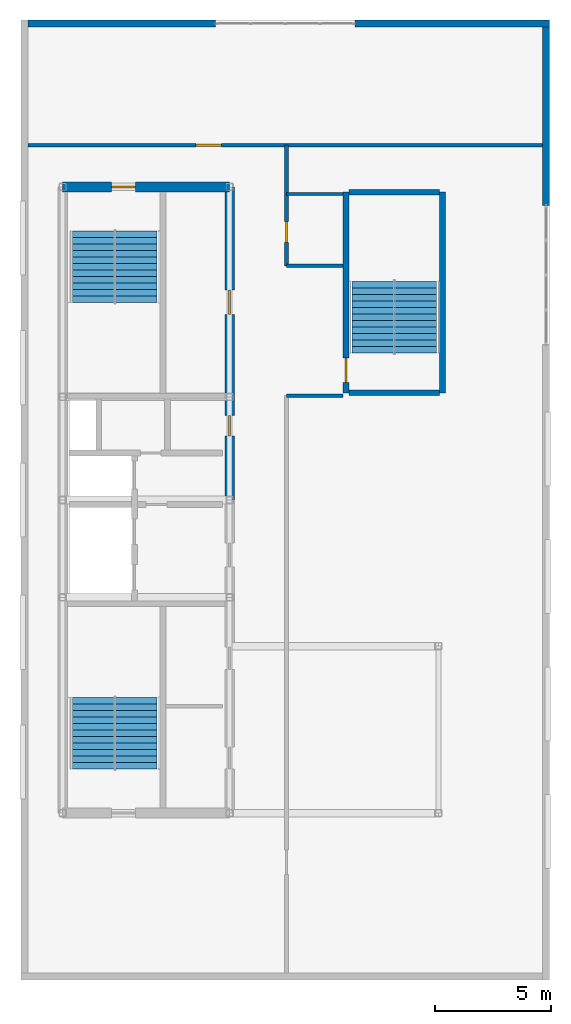
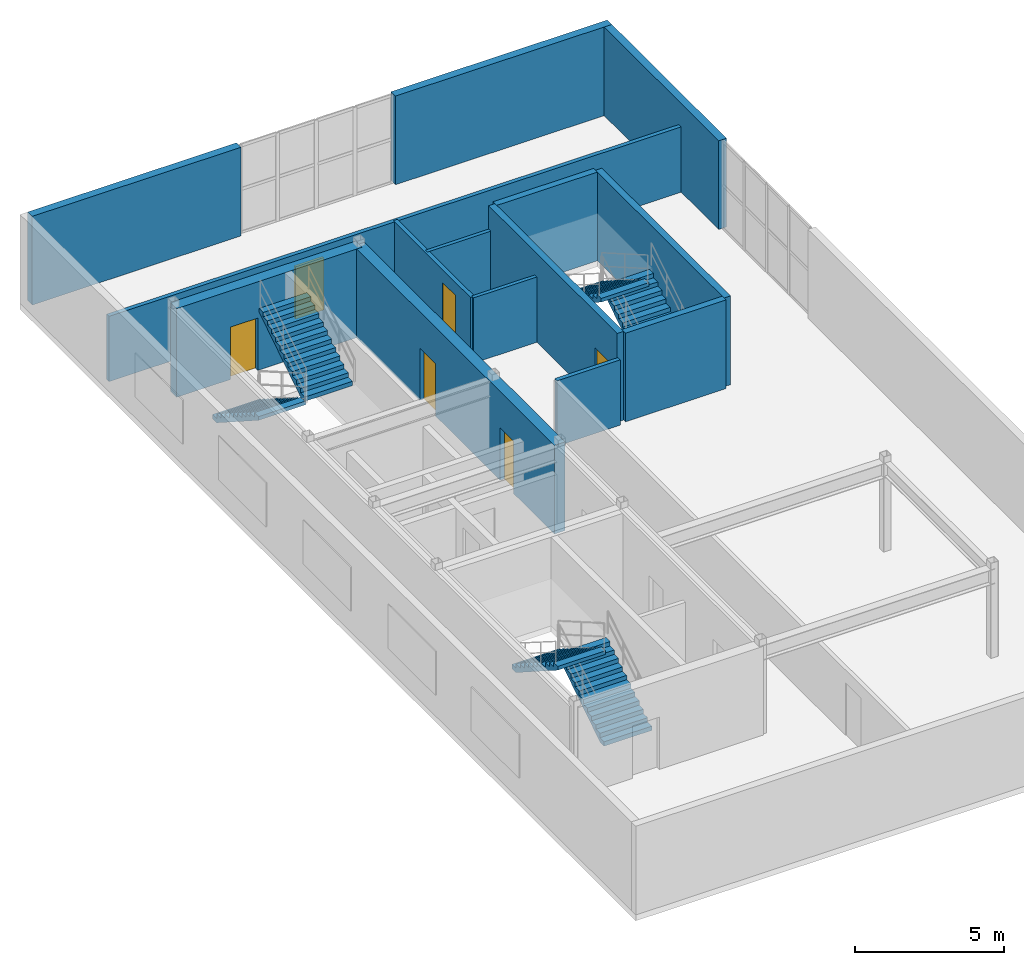
# One storey, part 6 of 7: 14 walls, 6 doors, 6 stair flights, 6 openings, 3 elements without a shape of their own.
"""IFC4 building model written with IfcOpenShell, lengths in metres."""

from ifc_helpers import new_model, entity, si_unit, converted_unit, direction, frame, origin_with_axes, origin_2d_with_axis, place, context, subcontext, project, spatial, polyline, rectangle, outline, extrude, material, layer, layer_set, type_object, element, fill, aggregate, save


model = new_model("IFC4")

# Units and contexts
model_context = context("Model", 3, precision=1e-05, world=origin_with_axes(), true_north=direction((0.0, 1.0)))
body_context = subcontext(model_context, "Body", "Model", "MODEL_VIEW")
ifc_project = project(units=[si_unit("LENGTHUNIT", "METRE"), si_unit("AREAUNIT", "SQUARE_METRE"), si_unit("VOLUMEUNIT", "CUBIC_METRE"), converted_unit("PLANEANGLEUNIT", "DEGREE", entity("IfcPlaneAngleMeasure", 0.017453292519943295), si_unit("PLANEANGLEUNIT", "RADIAN"), dimensions=[0, 0, 0, 0, 0, 0, 0]), si_unit("MASSUNIT", "GRAM", prefix="KILO"), si_unit("THERMODYNAMICTEMPERATUREUNIT", "KELVIN")], contexts=[model_context])

# Site, building, storey
site_placement = place(None, origin_with_axes())
site = spatial("IfcSite", under=ifc_project, at=site_placement, CompositionType="ELEMENT")
building_placement = place(site_placement, origin_with_axes())
building = spatial("IfcBuilding", under=site, at=building_placement, Name="Varnlund Millrace Tower", CompositionType="ELEMENT")
storey_placement = place(building_placement, frame((0.0, 0.0, 316.5), z_axis=(0.0, 0.0, 1.0), x_axis=(1.0, 0.0, 0.0)))
storey = spatial("IfcBuildingStorey", under=building, at=storey_placement, Name="L78", CompositionType="ELEMENT", Elevation=316.5)

# Wall, opening, door
ifc_material_1 = material(Name="Concrete C60/75", Category="concrete")
ifc_layer_1 = layer(ifc_material_1, 0.42, Name="Concrete C60/75")
ifc_layer_set_1 = layer_set([ifc_layer_1], Name="Concrete C60/75")
wall_type_1 = type_object("IfcWallType", Name="Type-CoreWall-Shear-420-C60", PredefinedType="SHEAR", material=ifc_layer_set_1)
wall_1_placement = place(storey_placement, frame((11.4, 37.8, 0.0), z_axis=(0.0, 0.0, 1.0), x_axis=(1.0, 0.0, 0.0)))
wall_1 = element("IfcWall", 1, at=wall_1_placement, inside=storey, type_object=wall_type_1, Name="Type-CoreWall-Shear-420-C60", PredefinedType="SHEAR", context=body_context, shape_type="SweptSolid", body=[
    extrude(outline(polyline([(0.0, -0.21), (7.2, -0.21), (7.2, 0.21), (0.0, 0.21), (0.0, -0.21)])), origin_with_axes(), (0.0, 0.0, 1.0), 3.64),
])
opening_1_placement = place(wall_1_placement, frame((2.625, 0.0, 0.0), z_axis=(0.0, 0.0, 1.0), x_axis=(1.0, 0.0, 0.0)))
opening_1 = element("IfcOpeningElement", 2, at=opening_1_placement, cuts=wall_1, Name="Opening L78:DR-STA2", PredefinedType="OPENING", context=body_context, shape_type="SweptSolid", body=[
    extrude(rectangle(XDim=1.05, YDim=0.44, at=origin_2d_with_axis()), origin_with_axes(), (0.0, 0.0, 1.0), 2.15),
])
ifc_material_2 = material(Name="Fire-rated hollow steel door", Category="steel")
door_type_1 = type_object("IfcDoorType", Name="Type-FireDoor-Stair-1050X2150", OperationType="NOTDEFINED", PredefinedType="DOOR", material=ifc_material_2)
door_1_placement = place(wall_1_placement, frame((2.625, 0.0, 0.0), z_axis=(0.0, 0.0, 1.0), x_axis=(1.0, 0.0, 0.0)))
door_1 = element("IfcDoor", 3, at=door_1_placement, inside=storey, type_object=door_type_1, Name="Type-FireDoor-Stair-1050X2150", OperationType="SINGLE_SWING_RIGHT", OverallHeight=2.15, OverallWidth=1.05, PredefinedType="DOOR", context=body_context, shape_type="SweptSolid", body=[
    extrude(rectangle(XDim=1.05, YDim=0.09, at=origin_2d_with_axis()), origin_with_axes(), (0.0, 0.0, 1.0), 2.15),
])
fill(opening_1, door_1)

# Wall, openings, doors
wall_2_placement = place(storey_placement, frame((18.6, 24.3, 0.0), z_axis=(0.0, 0.0, 1.0), x_axis=(0.0, 1.0, 0.0)))
wall_2 = element("IfcWall", 4, at=wall_2_placement, inside=storey, type_object=wall_type_1, Name="Type-CoreWall-Shear-420-C60", PredefinedType="SHEAR", context=body_context, shape_type="SweptSolid", body=[
    extrude(outline(polyline([(0.0, -0.21), (13.5, -0.21), (13.5, 0.21), (0.0, 0.21), (0.0, -0.21)])), origin_with_axes(), (0.0, 0.0, 1.0), 3.64),
])
opening_2_placement = place(wall_2_placement, frame((3.2, 0.0, 0.0), z_axis=(0.0, 0.0, 1.0), x_axis=(1.0, 0.0, 0.0)))
opening_2 = element("IfcOpeningElement", 5, at=opening_2_placement, cuts=wall_2, Name="Opening L78:DR-ROB", PredefinedType="OPENING", context=body_context, shape_type="SweptSolid", body=[
    extrude(rectangle(XDim=0.9, YDim=0.44, at=origin_2d_with_axis()), origin_with_axes(), (0.0, 0.0, 1.0), 2.15),
])
opening_3_placement = place(wall_2_placement, frame((8.525, 0.0, 0.0), z_axis=(0.0, 0.0, 1.0), x_axis=(1.0, 0.0, 0.0)))
opening_3 = element("IfcOpeningElement", 6, at=opening_3_placement, cuts=wall_2, Name="Opening L78:DR-RECL-M", PredefinedType="OPENING", context=body_context, shape_type="SweptSolid", body=[
    extrude(rectangle(XDim=1.05, YDim=0.44, at=origin_2d_with_axis()), origin_with_axes(), (0.0, 0.0, 1.0), 2.15),
])
ifc_material_3 = material(Name="Fire-rated hollow steel service closet door", Category="steel")
door_type_2 = type_object("IfcDoorType", Name="Type-FireDoor-Closet-900X2150", OperationType="NOTDEFINED", PredefinedType="DOOR", material=ifc_material_3)
door_2_placement = place(wall_2_placement, frame((3.2, 0.0, 0.0), z_axis=(0.0, 0.0, 1.0), x_axis=(1.0, 0.0, 0.0)))
door_2 = element("IfcDoor", 7, at=door_2_placement, inside=storey, type_object=door_type_2, Name="Type-FireDoor-Closet-900X2150", OperationType="SINGLE_SWING_RIGHT", OverallHeight=2.15, OverallWidth=0.9, PredefinedType="DOOR", context=body_context, shape_type="SweptSolid", body=[
    extrude(rectangle(XDim=0.9, YDim=0.09, at=origin_2d_with_axis()), origin_with_axes(), (0.0, 0.0, 1.0), 2.15),
])
fill(opening_2, door_2)
ifc_material_4 = material(Name="Smoke-barrier hollow steel fire door", Category="steel")
door_type_3 = type_object("IfcDoorType", Name="Type-FireDoor-Lobby-1050X2150", OperationType="NOTDEFINED", PredefinedType="DOOR", material=ifc_material_4)
door_3_placement = place(wall_2_placement, frame((8.525, 0.0, 0.0), z_axis=(0.0, 0.0, 1.0), x_axis=(1.0, 0.0, 0.0)))
door_3 = element("IfcDoor", 8, at=door_3_placement, inside=storey, type_object=door_type_3, Name="Type-FireDoor-Lobby-1050X2150", OperationType="SINGLE_SWING_LEFT", OverallHeight=2.15, OverallWidth=1.05, PredefinedType="DOOR", context=body_context, shape_type="SweptSolid", body=[
    extrude(rectangle(XDim=1.05, YDim=0.09, at=origin_2d_with_axis()), origin_with_axes(), (0.0, 0.0, 1.0), 2.15),
])
fill(opening_3, door_3)

# Walls
ifc_material_5 = material(Name="Precast concrete C50/60", Category="concrete")
ifc_layer_2 = layer(ifc_material_5, 0.3, Name="Precast concrete C50/60")
ifc_layer_set_2 = layer_set([ifc_layer_2], Name="Precast concrete C50/60")
wall_type_2 = type_object("IfcWallType", Name="Type-ExtWall-Precast-Crown-300", PredefinedType="SOLIDWALL", material=ifc_layer_set_2)
wall_3_placement = place(storey_placement, frame((9.9, 44.85, 0.0), z_axis=(0.0, 0.0, 1.0), x_axis=(1.0, 0.0, 0.0)))
element("IfcWall", 9, at=wall_3_placement, inside=storey, type_object=wall_type_2, Name="Type-ExtWall-Precast-Crown-300", PredefinedType="SOLIDWALL", context=body_context, shape_type="SweptSolid", body=[
    extrude(outline(polyline([(0.0, -0.15), (8.1, -0.15), (8.1, 0.15), (0.0, 0.15), (0.0, -0.15)])), origin_with_axes(), (0.0, 0.0, 1.0), 3.64),
])
wall_4_placement = place(storey_placement, frame((24.0, 44.85, 0.0), z_axis=(0.0, 0.0, 1.0), x_axis=(1.0, 0.0, 0.0)))
element("IfcWall", 10, at=wall_4_placement, inside=storey, type_object=wall_type_2, Name="Type-ExtWall-Precast-Crown-300", PredefinedType="SOLIDWALL", context=body_context, shape_type="SweptSolid", body=[
    extrude(outline(polyline([(0.0, -0.15), (8.4, -0.15), (8.4, 0.15), (0.0, 0.15), (0.0, -0.15)])), origin_with_axes(), (0.0, 0.0, 1.0), 3.64),
])
wall_5_placement = place(storey_placement, frame((32.25, 44.7, 0.0), z_axis=(0.0, 0.0, 1.0), x_axis=(0.0, -1.0, 0.0)))
element("IfcWall", 11, at=wall_5_placement, inside=storey, type_object=wall_type_2, Name="Type-ExtWall-Precast-Crown-300", PredefinedType="SOLIDWALL", context=body_context, shape_type="SweptSolid", body=[
    extrude(outline(polyline([(0.0, -0.15), (7.7, -0.15), (7.7, 0.15), (0.0, 0.15), (0.0, -0.15)])), origin_with_axes(), (0.0, 0.0, 1.0), 3.64),
])

# Wall, opening, door
ifc_material_6 = material(Name="Fire-rated gypsum board on cold-formed steel framing", Category="steel")
ifc_layer_3 = layer(ifc_material_6, 0.16, Name="Fire-rated gypsum board on cold-formed steel framing")
ifc_layer_set_3 = layer_set([ifc_layer_3], Name="Fire-rated gypsum board on cold-formed steel framing")
wall_type_3 = type_object("IfcWallType", Name="Type-Partition-Corridor-160", PredefinedType="PARTITIONING", material=ifc_layer_set_3)
wall_6_placement = place(storey_placement, frame((21.05, 34.4, 0.0), z_axis=(0.0, 0.0, 1.0), x_axis=(0.0, 1.0, 0.0)))
wall_6 = element("IfcWall", 12, at=wall_6_placement, inside=storey, type_object=wall_type_3, Name="Type-Partition-Corridor-160", PredefinedType="PARTITIONING", context=body_context, shape_type="SweptSolid", body=[
    extrude(outline(polyline([(0.0, -0.08), (5.2, -0.08), (5.2, 0.08), (0.0, 0.08), (0.0, -0.08)])), origin_with_axes(), (0.0, 0.0, 1.0), 2.68),
])
opening_4_placement = place(wall_6_placement, frame((1.45, 0.0, 0.0), z_axis=(0.0, 0.0, 1.0), x_axis=(1.0, 0.0, 0.0)))
opening_4 = element("IfcOpeningElement", 13, at=opening_4_placement, cuts=wall_6, Name="Opening L78:DR-CRN-WC", PredefinedType="OPENING", context=body_context, shape_type="SweptSolid", body=[
    extrude(rectangle(XDim=0.9, YDim=0.18, at=origin_2d_with_axis()), origin_with_axes(), (0.0, 0.0, 1.0), 2.15),
])
ifc_material_7 = material(Name="Painted steel riser and closet door", Category="steel")
door_type_4 = type_object("IfcDoorType", Name="Type-IntDoor-Closet-900X2150", OperationType="NOTDEFINED", PredefinedType="DOOR", material=ifc_material_7)
door_4_placement = place(wall_6_placement, frame((1.45, 0.0, 0.0), z_axis=(0.0, 0.0, 1.0), x_axis=(1.0, 0.0, 0.0)))
door_4 = element("IfcDoor", 14, at=door_4_placement, inside=storey, type_object=door_type_4, Name="Type-IntDoor-Closet-900X2150", OperationType="SINGLE_SWING_LEFT", OverallHeight=2.15, OverallWidth=0.9, PredefinedType="DOOR", context=body_context, shape_type="SweptSolid", body=[
    extrude(rectangle(XDim=0.9, YDim=0.09, at=origin_2d_with_axis()), origin_with_axes(), (0.0, 0.0, 1.0), 2.15),
])
fill(opening_4, door_4)

# Wall
wall_7_placement = place(storey_placement, frame((21.05, 28.8, 0.0), z_axis=(0.0, 0.0, 1.0), x_axis=(1.0, 0.0, 0.0)))
element("IfcWall", 15, at=wall_7_placement, inside=storey, type_object=wall_type_3, Name="Type-Partition-Corridor-160", PredefinedType="PARTITIONING", context=body_context, shape_type="SweptSolid", body=[
    extrude(outline(polyline([(0.0, -0.08), (2.45, -0.08), (2.45, 0.08), (0.0, 0.08), (0.0, -0.08)])), origin_with_axes(), (0.0, 0.0, 1.0), 2.68),
])

# Wall, opening, door
wall_8_placement = place(storey_placement, frame((9.895, 39.6, 0.0), z_axis=(0.0, 0.0, 1.0), x_axis=(1.0, 0.0, 0.0)))
wall_8 = element("IfcWall", 16, at=wall_8_placement, inside=storey, type_object=wall_type_3, Name="Type-Partition-Corridor-160", PredefinedType="PARTITIONING", context=body_context, shape_type="SweptSolid", body=[
    extrude(outline(polyline([(0.0, -0.08), (22.21, -0.08), (22.21, 0.08), (0.0, 0.08), (0.0, -0.08)])), origin_with_axes(), (0.0, 0.0, 1.0), 2.68),
])
opening_5_placement = place(wall_8_placement, frame((7.805, 0.0, 0.0), z_axis=(0.0, 0.0, 1.0), x_axis=(1.0, 0.0, 0.0)))
opening_5 = element("IfcOpeningElement", 17, at=opening_5_placement, cuts=wall_8, Name="Opening L78:DR-CRN-SWG", PredefinedType="OPENING", context=body_context, shape_type="SweptSolid", body=[
    extrude(rectangle(XDim=1.1, YDim=0.18, at=origin_2d_with_axis()), origin_with_axes(), (0.0, 0.0, 1.0), 2.15),
])
ifc_material_8 = material(Name="Fire-rated mechanical room steel door", Category="steel")
door_type_5 = type_object("IfcDoorType", Name="Type-FireDoor-Plant-1100X2150", OperationType="NOTDEFINED", PredefinedType="DOOR", material=ifc_material_8)
door_5_placement = place(wall_8_placement, frame((7.805, 0.0, 0.0), z_axis=(0.0, 0.0, 1.0), x_axis=(1.0, 0.0, 0.0)))
door_5 = element("IfcDoor", 18, at=door_5_placement, inside=storey, type_object=door_type_5, Name="Type-FireDoor-Plant-1100X2150", OperationType="SINGLE_SWING_LEFT", OverallHeight=2.15, OverallWidth=1.1, PredefinedType="DOOR", context=body_context, shape_type="SweptSolid", body=[
    extrude(rectangle(XDim=1.1, YDim=0.09, at=origin_2d_with_axis()), origin_with_axes(), (0.0, 0.0, 1.0), 2.15),
])
fill(opening_5, door_5)

# Walls
ifc_material_9 = material(Name="Moisture-resistant gypsum restroom partition", Category="gypsum")
ifc_layer_4 = layer(ifc_material_9, 0.14, Name="Moisture-resistant gypsum restroom partition")
ifc_layer_set_4 = layer_set([ifc_layer_4], Name="Moisture-resistant gypsum restroom partition")
wall_type_4 = type_object("IfcWallType", Name="Type-Partition-Wet-140", PredefinedType="PARTITIONING", material=ifc_layer_set_4)
for number, where, z_axis, x_axis, name in (
    (19, (21.05, 34.4, 0.0), (0.0, 0.0, 1.0), (1.0, 0.0, 0.0), "Type-Partition-Wet-140"),
    (20, (21.05, 37.5, 0.0), (0.0, 0.0, 1.0), (1.0, 0.0, 0.0), "Type-Partition-Wet-140"),
):
    element("IfcWall", number, at=place(storey_placement, frame(where, z_axis=z_axis, x_axis=x_axis)), inside=storey, type_object=wall_type_4, Name=name, PredefinedType="PARTITIONING", context=body_context, shape_type="SweptSolid", body=[
        extrude(outline(polyline([(0.0, -0.07), (2.45, -0.07), (2.45, 0.07), (0.0, 0.07), (0.0, -0.07)])), origin_with_axes(), (0.0, 0.0, 1.0), 2.68),
    ])

# Wall, opening, door
ifc_layer_5 = layer(ifc_material_1, 0.25, Name="Concrete C60/75")
ifc_layer_set_5 = layer_set([ifc_layer_5], Name="Concrete C60/75")
wall_type_5 = type_object("IfcWallType", Name="Type-StairWall-Shear-250", PredefinedType="SHEAR", material=ifc_layer_set_5)
wall_9_placement = place(storey_placement, frame((23.625, 28.925, 0.0), z_axis=(0.0, 0.0, 1.0), x_axis=(0.0, 1.0, 0.0)))
wall_9 = element("IfcWall", 21, at=wall_9_placement, inside=storey, type_object=wall_type_5, Name="Type-StairWall-Shear-250", PredefinedType="SHEAR", context=body_context, shape_type="SweptSolid", body=[
    extrude(outline(polyline([(0.0, -0.125), (8.65, -0.125), (8.65, 0.125), (0.0, 0.125), (0.0, -0.125)])), origin_with_axes(), (0.0, 0.0, 1.0), 3.64),
])
opening_6_placement = place(wall_9_placement, frame((0.975, 0.0, 0.0), z_axis=(0.0, 0.0, 1.0), x_axis=(1.0, 0.0, 0.0)))
opening_6 = element("IfcOpeningElement", 22, at=opening_6_placement, cuts=wall_9, Name="Opening L78:DR-STA3", PredefinedType="OPENING", context=body_context, shape_type="SweptSolid", body=[
    extrude(rectangle(XDim=1.05, YDim=0.27, at=origin_2d_with_axis()), origin_with_axes(), (0.0, 0.0, 1.0), 2.15),
])
door_6_placement = place(wall_9_placement, frame((0.975, 0.0, 0.0), z_axis=(0.0, 0.0, 1.0), x_axis=(1.0, 0.0, 0.0)))
door_6 = element("IfcDoor", 23, at=door_6_placement, inside=storey, type_object=door_type_1, Name="Type-FireDoor-Stair-1050X2150", OperationType="SINGLE_SWING_LEFT", OverallHeight=2.15, OverallWidth=1.05, PredefinedType="DOOR", context=body_context, shape_type="SweptSolid", body=[
    extrude(rectangle(XDim=1.05, YDim=0.09, at=origin_2d_with_axis()), origin_with_axes(), (0.0, 0.0, 1.0), 2.15),
])
fill(opening_6, door_6)

# Walls
wall_10_placement = place(storey_placement, frame((27.775, 28.925, 0.0), z_axis=(0.0, 0.0, 1.0), x_axis=(0.0, 1.0, 0.0)))
element("IfcWall", 24, at=wall_10_placement, inside=storey, type_object=wall_type_5, Name="Type-StairWall-Shear-250", PredefinedType="SHEAR", context=body_context, shape_type="SweptSolid", body=[
    extrude(outline(polyline([(0.0, -0.125), (8.65, -0.125), (8.65, 0.125), (0.0, 0.125), (0.0, -0.125)])), origin_with_axes(), (0.0, 0.0, 1.0), 3.64),
])
for number, where, z_axis, x_axis, name in (
    (25, (23.75, 28.925, 0.0), (0.0, 0.0, 1.0), (1.0, 0.0, 0.0), "Type-StairWall-Shear-250"),
    (26, (23.75, 37.575, 0.0), (0.0, 0.0, 1.0), (1.0, 0.0, 0.0), "Type-StairWall-Shear-250"),
):
    element("IfcWall", number, at=place(storey_placement, frame(where, z_axis=z_axis, x_axis=x_axis)), inside=storey, type_object=wall_type_5, Name=name, PredefinedType="SHEAR", context=body_context, shape_type="SweptSolid", body=[
        extrude(outline(polyline([(0.0, -0.125), (3.9, -0.125), (3.9, 0.125), (0.0, 0.125), (0.0, -0.125)])), origin_with_axes(), (0.0, 0.0, 1.0), 3.64),
    ])

# Stair, stair flights
ifc_material_10 = material(Name="Concrete C50/60", Category="concrete")
stair_type = type_object("IfcStairType", Name="Type-Stair-Dogleg-185-390", PredefinedType="HALF_TURN_STAIR", material=ifc_material_10)
stair_1_placement = place(storey_placement, origin_with_axes())
stair_1 = element("IfcStair", 27, at=stair_1_placement, inside=storey, type_object=stair_type, Name="Type-Stair-Dogleg-185-390", PredefinedType="HALF_TURN_STAIR")
stair_flight_type = type_object("IfcStairFlightType", Name="Type-Dogleg-Run-185-390", PredefinedType="STRAIGHT", material=ifc_material_5)
stair_flight_1_placement = place(storey_placement, frame((13.625, 12.7, 0.0), z_axis=(1.0, 0.0, 0.0), x_axis=(0.0, 1.0, 0.0)))
stair_flight_1 = element("IfcStairFlight", 28, at=stair_flight_1_placement, type_object=stair_flight_type, Name="ST-A1 flight 1", NumberOfRisers=11, NumberOfTreads=11, PredefinedType="STRAIGHT", RiserHeight=0.177273, TreadLength=0.28, context=body_context, shape_type="SweptSolid", body=[
    extrude(outline(polyline([(0.0, 0.0), (0.0, 0.177273), (0.28, 0.177273), (0.28, 0.354545), (0.56, 0.354545), (0.56, 0.531818), (0.84, 0.531818), (0.84, 0.709091), (1.12, 0.709091), (1.12, 0.886364), (1.4, 0.886364), (1.4, 1.063636), (1.68, 1.063636), (1.68, 1.240909), (1.96, 1.240909), (1.96, 1.418182), (2.24, 1.418182), (2.24, 1.595454), (2.52, 1.595454), (2.52, 1.772727), (2.8, 1.772727), (2.8, 1.95), (3.08, 1.95), (3.08, 1.8), (0.28, 0.0), (0.0, 0.0)])), origin_with_axes(), (0.0, 0.0, 1.0), 1.85),
])
stair_flight_2_placement = place(storey_placement, frame((13.675, 15.78, 1.95), z_axis=(-1.0, 0.0, 0.0), x_axis=(0.0, -1.0, 0.0)))
stair_flight_2 = element("IfcStairFlight", 29, at=stair_flight_2_placement, type_object=stair_flight_type, Name="ST-A1 flight 2", NumberOfRisers=11, NumberOfTreads=11, PredefinedType="STRAIGHT", RiserHeight=0.177273, TreadLength=0.28, context=body_context, shape_type="SweptSolid", body=[
    extrude(outline(polyline([(0.0, 0.0), (0.0, 0.177273), (0.28, 0.177273), (0.28, 0.354545), (0.56, 0.354545), (0.56, 0.531818), (0.84, 0.531818), (0.84, 0.709091), (1.12, 0.709091), (1.12, 0.886364), (1.4, 0.886364), (1.4, 1.063636), (1.68, 1.063636), (1.68, 1.240909), (1.96, 1.240909), (1.96, 1.418182), (2.24, 1.418182), (2.24, 1.595454), (2.52, 1.595454), (2.52, 1.772727), (2.8, 1.772727), (2.8, 1.95), (3.08, 1.95), (3.08, 1.8), (0.28, 0.0), (0.0, 0.0)])), origin_with_axes(), (0.0, 0.0, 1.0), 1.85),
])
aggregate(stair_1, [stair_flight_1, stair_flight_2])

stair_2_placement = place(storey_placement, origin_with_axes())
stair_2 = element("IfcStair", 30, at=stair_2_placement, inside=storey, type_object=stair_type, Name="Type-Stair-Dogleg-185-390", PredefinedType="HALF_TURN_STAIR")
stair_flight_3_placement = place(storey_placement, frame((13.675, 35.9, 0.0), z_axis=(-1.0, 0.0, 0.0), x_axis=(0.0, -1.0, 0.0)))
stair_flight_3 = element("IfcStairFlight", 31, at=stair_flight_3_placement, type_object=stair_flight_type, Name="ST-A2 flight 1", NumberOfRisers=11, NumberOfTreads=11, PredefinedType="STRAIGHT", RiserHeight=0.177273, TreadLength=0.28, context=body_context, shape_type="SweptSolid", body=[
    extrude(outline(polyline([(0.0, 0.0), (0.0, 0.177273), (0.28, 0.177273), (0.28, 0.354545), (0.56, 0.354545), (0.56, 0.531818), (0.84, 0.531818), (0.84, 0.709091), (1.12, 0.709091), (1.12, 0.886364), (1.4, 0.886364), (1.4, 1.063636), (1.68, 1.063636), (1.68, 1.240909), (1.96, 1.240909), (1.96, 1.418182), (2.24, 1.418182), (2.24, 1.595454), (2.52, 1.595454), (2.52, 1.772727), (2.8, 1.772727), (2.8, 1.95), (3.08, 1.95), (3.08, 1.8), (0.28, 0.0), (0.0, 0.0)])), origin_with_axes(), (0.0, 0.0, 1.0), 1.85),
])
stair_flight_4_placement = place(storey_placement, frame((13.625, 32.82, 1.95), z_axis=(1.0, 0.0, 0.0), x_axis=(0.0, 1.0, 0.0)))
stair_flight_4 = element("IfcStairFlight", 32, at=stair_flight_4_placement, type_object=stair_flight_type, Name="ST-A2 flight 2", NumberOfRisers=11, NumberOfTreads=11, PredefinedType="STRAIGHT", RiserHeight=0.177273, TreadLength=0.28, context=body_context, shape_type="SweptSolid", body=[
    extrude(outline(polyline([(0.0, 0.0), (0.0, 0.177273), (0.28, 0.177273), (0.28, 0.354545), (0.56, 0.354545), (0.56, 0.531818), (0.84, 0.531818), (0.84, 0.709091), (1.12, 0.709091), (1.12, 0.886364), (1.4, 0.886364), (1.4, 1.063636), (1.68, 1.063636), (1.68, 1.240909), (1.96, 1.240909), (1.96, 1.418182), (2.24, 1.418182), (2.24, 1.595454), (2.52, 1.595454), (2.52, 1.772727), (2.8, 1.772727), (2.8, 1.95), (3.08, 1.95), (3.08, 1.8), (0.28, 0.0), (0.0, 0.0)])), origin_with_axes(), (0.0, 0.0, 1.0), 1.85),
])
aggregate(stair_2, [stair_flight_3, stair_flight_4])

stair_3_placement = place(storey_placement, origin_with_axes())
stair_3 = element("IfcStair", 33, at=stair_3_placement, inside=storey, type_object=stair_type, Name="Type-Stair-Dogleg-185-390", PredefinedType="HALF_TURN_STAIR")
stair_flight_5_placement = place(storey_placement, frame((25.675, 30.65, 0.0), z_axis=(1.0, 0.0, 0.0), x_axis=(0.0, 1.0, 0.0)))
stair_flight_5 = element("IfcStairFlight", 34, at=stair_flight_5_placement, type_object=stair_flight_type, Name="ST-A3 flight 1", NumberOfRisers=11, NumberOfTreads=11, PredefinedType="STRAIGHT", RiserHeight=0.177273, TreadLength=0.28, context=body_context, shape_type="SweptSolid", body=[
    extrude(outline(polyline([(0.0, 0.0), (0.0, 0.177273), (0.28, 0.177273), (0.28, 0.354545), (0.56, 0.354545), (0.56, 0.531818), (0.84, 0.531818), (0.84, 0.709091), (1.12, 0.709091), (1.12, 0.886364), (1.4, 0.886364), (1.4, 1.063636), (1.68, 1.063636), (1.68, 1.240909), (1.96, 1.240909), (1.96, 1.418182), (2.24, 1.418182), (2.24, 1.595454), (2.52, 1.595454), (2.52, 1.772727), (2.8, 1.772727), (2.8, 1.95), (3.08, 1.95), (3.08, 1.8), (0.28, 0.0), (0.0, 0.0)])), origin_with_axes(), (0.0, 0.0, 1.0), 1.85),
])
stair_flight_6_placement = place(storey_placement, frame((25.725, 33.73, 1.95), z_axis=(-1.0, 0.0, 0.0), x_axis=(0.0, -1.0, 0.0)))
stair_flight_6 = element("IfcStairFlight", 35, at=stair_flight_6_placement, type_object=stair_flight_type, Name="ST-A3 flight 2", NumberOfRisers=11, NumberOfTreads=11, PredefinedType="STRAIGHT", RiserHeight=0.177273, TreadLength=0.28, context=body_context, shape_type="SweptSolid", body=[
    extrude(outline(polyline([(0.0, 0.0), (0.0, 0.177273), (0.28, 0.177273), (0.28, 0.354545), (0.56, 0.354545), (0.56, 0.531818), (0.84, 0.531818), (0.84, 0.709091), (1.12, 0.709091), (1.12, 0.886364), (1.4, 0.886364), (1.4, 1.063636), (1.68, 1.063636), (1.68, 1.240909), (1.96, 1.240909), (1.96, 1.418182), (2.24, 1.418182), (2.24, 1.595454), (2.52, 1.595454), (2.52, 1.772727), (2.8, 1.772727), (2.8, 1.95), (3.08, 1.95), (3.08, 1.8), (0.28, 0.0), (0.0, 0.0)])), origin_with_axes(), (0.0, 0.0, 1.0), 1.85),
])
aggregate(stair_3, [stair_flight_5, stair_flight_6])

save(model, "model.ifc")
